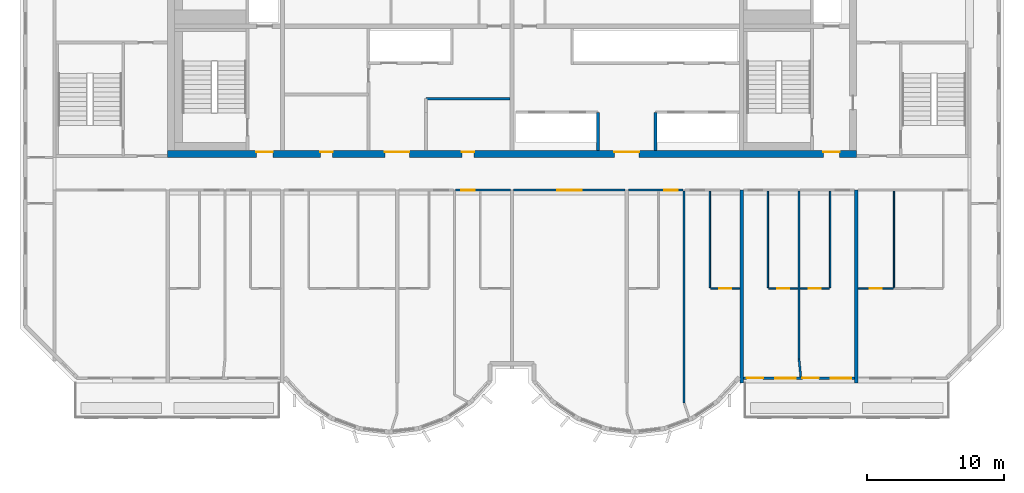
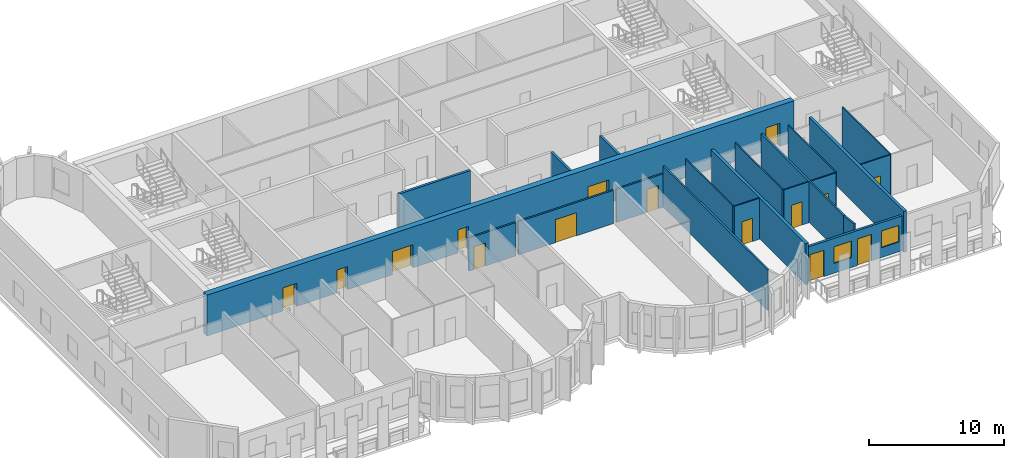
# One storey, part 5 of 11: 21 walls, 15 doors, 2 windows, 17 openings.
"""IFC4 building model written with IfcOpenShell, lengths in metres."""

from ifc_helpers import new_model, si_unit, direction, frame, frame_2d, origin, place, context, subcontext, project, spatial, rectangle, extrude, source, transform, mapped, material, layer, layer_set, type_object, element, fill, save


model = new_model("IFC4")

# Units and contexts
model_context = context("Model", 3, precision=1e-05, world=origin(), true_north=direction((0.0, 1.0)))
body_context = subcontext(model_context, "Body", "Model", "MODEL_VIEW")
ifc_project = project(units=[si_unit("LENGTHUNIT", "METRE"), si_unit("AREAUNIT", "SQUARE_METRE"), si_unit("VOLUMEUNIT", "CUBIC_METRE"), si_unit("PLANEANGLEUNIT", "RADIAN"), si_unit("MASSUNIT", "GRAM", prefix="KILO")], contexts=[model_context])

# Site, building, storey
site_placement = place(None, origin())
site = spatial("IfcSite", under=ifc_project, at=site_placement, CompositionType="ELEMENT")
building_placement = place(site_placement, origin())
building = spatial("IfcBuilding", under=site, at=building_placement, Name="Vanashikhar Sky Hotel", CompositionType="ELEMENT")
storey_placement = place(building_placement, frame((0.0, 0.0, 305.699951171875)))
storey = spatial("IfcBuildingStorey", under=building, at=storey_placement, Name="L73", CompositionType="ELEMENT", Elevation=305.699951171875)

# Wall, openings, doors
ifc_material_1 = material(Name="Concrete M50", Category="concrete")
ifc_layer_1 = layer(ifc_material_1, 0.5)
ifc_layer_set_1 = layer_set([ifc_layer_1], Name="RC core shell wall 500 Concrete M50")
wall_type_1 = type_object("IfcWallType", Name="RC core shell wall 500 Concrete M50", PredefinedType="SHEAR", material=ifc_layer_set_1)
shared_shape_1 = source(origin(), body_context, "Body", "SweptSolid", [
    extrude(rectangle(XDim=50.400146484375, YDim=0.5, at=frame_2d((25.2001953125, 0.0))), origin(), (0.0, 0.0, 1.0), 3.719970703125),
])
wall_1_placement = place(storey_placement, frame((25.199951171875, 22.25, 0.0), z_axis=(0.0, 0.0, 1.0), x_axis=(1.0, 0.0, 0.0)))
wall_1 = element("IfcWall", 1, at=wall_1_placement, inside=storey, type_object=wall_type_1, Name="KW-L73-KS", PredefinedType="SHEAR", context=body_context, shape_type="MappedRepresentation", body=[
    mapped(shared_shape_1, transform((0.0, 0.0, 0.0), scale=1.0)),
])
shared_shape_2 = source(origin(), body_context, "Body", "SweptSolid", [
    extrude(rectangle(XDim=1.800048828125, YDim=2.10009765625, at=frame_2d((0.89990234375, 1.050048828125))), frame((0.0, 0.260009765625, 0.0), z_axis=(0.0, -1.0, 0.0), x_axis=(1.0, 0.0, 0.0)), (0.0, 0.0, 1.0), 0.52001953125),
])
opening_1_placement = place(wall_1_placement, frame((15.89990234375, 0.0, 0.0)))
opening_1 = element("IfcOpeningElement", 2, at=opening_1_placement, cuts=wall_1, Name="Opening DC-3-A", PredefinedType="OPENING", context=body_context, shape_type="MappedRepresentation", body=[
    mapped(shared_shape_2, transform((0.0, 0.0, 0.0), scale=1.0)),
])
shared_shape_3 = source(origin(), body_context, "Body", "SweptSolid", [
    extrude(rectangle(XDim=0.89990234375, YDim=2.10009765625, at=frame_2d((0.449951171875, 1.050048828125))), frame((0.0, 0.260009765625, 0.0), z_axis=(0.0, -1.0, 0.0), x_axis=(1.0, 0.0, 0.0)), (0.0, 0.0, 1.0), 0.52001953125),
])
opening_2_placement = place(wall_1_placement, frame((11.175048828125, 0.0, 0.0)))
opening_2 = element("IfcOpeningElement", 3, at=opening_2_placement, cuts=wall_1, Name="Opening DC-4-A", PredefinedType="OPENING", context=body_context, shape_type="MappedRepresentation", body=[
    mapped(shared_shape_3, transform((0.0, 0.0, 0.0), scale=1.0)),
])
opening_3_placement = place(wall_1_placement, frame((21.52490234375, 0.0, 0.0)))
opening_3 = element("IfcOpeningElement", 4, at=opening_3_placement, cuts=wall_1, Name="Opening DC-4-A", PredefinedType="OPENING", context=body_context, shape_type="MappedRepresentation", body=[
    mapped(shared_shape_3, transform((0.0, 0.0, 0.0), scale=1.0)),
])
opening_4_placement = place(wall_1_placement, frame((32.699951171875, 0.0, 0.0)))
opening_4 = element("IfcOpeningElement", 5, at=opening_4_placement, cuts=wall_1, Name="Opening DC-3-A", PredefinedType="OPENING", context=body_context, shape_type="MappedRepresentation", body=[
    mapped(shared_shape_2, transform((0.0, 0.0, 0.0), scale=1.0)),
])
shared_shape_4 = source(origin(), body_context, "Body", "SweptSolid", [
    extrude(rectangle(XDim=1.199951171875, YDim=2.10009765625, at=frame_2d((0.60009765625, 1.050048828125))), frame((0.0, 0.260009765625, 0.0), z_axis=(0.0, -1.0, 0.0), x_axis=(1.0, 0.0, 0.0)), (0.0, 0.0, 1.0), 0.52001953125),
])
opening_5_placement = place(wall_1_placement, frame((6.5, 0.0, 0.0)))
opening_5 = element("IfcOpeningElement", 6, at=opening_5_placement, cuts=wall_1, Name="Opening DC-2", PredefinedType="OPENING", context=body_context, shape_type="MappedRepresentation", body=[
    mapped(shared_shape_4, transform((0.0, 0.0, 0.0), scale=1.0)),
])
opening_6_placement = place(wall_1_placement, frame((47.97509765625, 0.0, 0.0)))
opening_6 = element("IfcOpeningElement", 7, at=opening_6_placement, cuts=wall_1, Name="Opening DC-2", PredefinedType="OPENING", context=body_context, shape_type="MappedRepresentation", body=[
    mapped(shared_shape_4, transform((0.0, 0.0, 0.0), scale=1.0)),
])
ifc_material_2 = material(Name="Steel", Category="steel")
door_type_1 = type_object("IfcDoorType", Name="Firefighting lobby door 1200 FD120", OperationType="NOTDEFINED", PredefinedType="DOOR", material=ifc_material_2)
shared_shape_5 = source(origin(), body_context, "Body", "SweptSolid", [
    extrude(rectangle(XDim=1.199951171875, YDim=2.10009765625, at=frame_2d((0.60009765625, 1.050048828125))), frame((0.0, 0.1748046875, 0.0), z_axis=(0.0, -1.0, 0.0), x_axis=(1.0, 0.0, 0.0)), (0.0, 0.0, 1.0), 0.050048828125),
])
door_1_placement = place(opening_5_placement, origin())
door_1 = element("IfcDoor", 8, at=door_1_placement, inside=storey, type_object=door_type_1, Name="Firefighting lobby door 1200 FD120", OperationType="SINGLE_SWING_LEFT", OverallHeight=2.10009765625, OverallWidth=1.199951171875, PredefinedType="DOOR", context=body_context, shape_type="MappedRepresentation", body=[
    mapped(shared_shape_5, transform((0.0, 0.0, 0.0), scale=1.0)),
])
fill(opening_5, door_1)
door_2_placement = place(opening_6_placement, origin())
door_2 = element("IfcDoor", 9, at=door_2_placement, inside=storey, type_object=door_type_1, Name="Firefighting lobby door 1200 FD120", OperationType="SINGLE_SWING_RIGHT", OverallHeight=2.10009765625, OverallWidth=1.199951171875, PredefinedType="DOOR", context=body_context, shape_type="MappedRepresentation", body=[
    mapped(shared_shape_5, transform((0.0, 0.0, 0.0), scale=1.0)),
])
fill(opening_6, door_2)
door_type_2 = type_object("IfcDoorType", Name="Service door 900 FD60", OperationType="NOTDEFINED", PredefinedType="DOOR", material=ifc_material_2)
shared_shape_6 = source(origin(), body_context, "Body", "SweptSolid", [
    extrude(rectangle(XDim=0.89990234375, YDim=2.10009765625, at=frame_2d((0.449951171875, 1.050048828125))), frame((0.0, 0.1748046875, 0.0), z_axis=(0.0, -1.0, 0.0), x_axis=(1.0, 0.0, 0.0)), (0.0, 0.0, 1.0), 0.050048828125),
])
door_3_placement = place(opening_2_placement, origin())
door_3 = element("IfcDoor", 10, at=door_3_placement, inside=storey, type_object=door_type_2, Name="Service door 900 FD60", OperationType="SINGLE_SWING_LEFT", OverallHeight=2.10009765625, OverallWidth=0.89990234375, PredefinedType="DOOR", context=body_context, shape_type="MappedRepresentation", body=[
    mapped(shared_shape_6, transform((0.0, 0.0, 0.0), scale=1.0)),
])
fill(opening_2, door_3)
door_4_placement = place(opening_3_placement, origin())
door_4 = element("IfcDoor", 11, at=door_4_placement, inside=storey, type_object=door_type_2, Name="Service door 900 FD60", OperationType="SINGLE_SWING_LEFT", OverallHeight=2.10009765625, OverallWidth=0.89990234375, PredefinedType="DOOR", context=body_context, shape_type="MappedRepresentation", body=[
    mapped(shared_shape_6, transform((0.0, 0.0, 0.0), scale=1.0)),
])
fill(opening_3, door_4)
ifc_material_3 = material(Name="Glass", Category="glass")
door_type_3 = type_object("IfcDoorType", Name="Lift lobby entrance door 1800 FD30S", OperationType="NOTDEFINED", PredefinedType="DOOR", material=ifc_material_3)
shared_shape_7 = source(origin(), body_context, "Body", "SweptSolid", [
    extrude(rectangle(XDim=1.800048828125, YDim=2.10009765625, at=frame_2d((0.89990234375, 1.050048828125))), frame((0.0, 0.1748046875, 0.0), z_axis=(0.0, -1.0, 0.0), x_axis=(1.0, 0.0, 0.0)), (0.0, 0.0, 1.0), 0.050048828125),
])
door_5_placement = place(opening_1_placement, origin())
door_5 = element("IfcDoor", 12, at=door_5_placement, inside=storey, type_object=door_type_3, Name="Lift lobby entrance door 1800 FD30S", OperationType="DOUBLE_DOOR_SINGLE_SWING", OverallHeight=2.10009765625, OverallWidth=1.800048828125, PredefinedType="DOOR", context=body_context, shape_type="MappedRepresentation", body=[
    mapped(shared_shape_7, transform((0.0, 0.0, 0.0), scale=1.0)),
])
fill(opening_1, door_5)
door_6_placement = place(opening_4_placement, origin())
door_6 = element("IfcDoor", 13, at=door_6_placement, inside=storey, type_object=door_type_3, Name="Lift lobby entrance door 1800 FD30S", OperationType="DOUBLE_DOOR_SINGLE_SWING", OverallHeight=2.10009765625, OverallWidth=1.800048828125, PredefinedType="DOOR", context=body_context, shape_type="MappedRepresentation", body=[
    mapped(shared_shape_7, transform((0.0, 0.0, 0.0), scale=1.0)),
])
fill(opening_4, door_6)

# Walls
ifc_layer_2 = layer(ifc_material_1, 0.25)
ifc_layer_set_2 = layer_set([ifc_layer_2], Name="RC shear wall 250 Concrete M50")
wall_type_2 = type_object("IfcWallType", Name="RC shear wall 250 Concrete M50", PredefinedType="SHEAR", material=ifc_layer_set_2)
shared_shape_8 = source(origin(), body_context, "Body", "SweptSolid", [
    extrude(rectangle(XDim=14.10009765625, YDim=0.25, at=frame_2d((7.050048828125, 0.0))), origin(), (0.0, 0.0, 1.0), 3.719970703125),
])
for number, where, z_axis, x_axis, name in (
    (14, (67.199951171875, 5.5, 0.0), (0.0, 0.0, 1.0), (0.0, 1.0, 0.0), "CW-L73-XW09-1"),
    (15, (75.60009765625, 5.5, 0.0), (0.0, 0.0, 1.0), (0.0, 1.0, 0.0), "CW-L73-XW10-1"),
):
    element("IfcWall", number, at=place(storey_placement, frame(where, z_axis=z_axis, x_axis=x_axis)), inside=storey, type_object=wall_type_2, Name=name, PredefinedType="SHEAR", context=body_context, shape_type="MappedRepresentation", body=[
        mapped(shared_shape_8, transform((0.0, 0.0, 0.0), scale=1.0)),
    ])

# Wall, openings, windows, doors
ifc_layer_3 = layer(ifc_material_1, 0.199951171875)
ifc_layer_set_3 = layer_set([ifc_layer_3], Name="Front window wall 200")
wall_type_3 = type_object("IfcWallType", Name="Front window wall 200", PredefinedType="SOLIDWALL", material=ifc_layer_set_3)
shared_shape_9 = source(origin(), body_context, "Body", "SweptSolid", [
    extrude(rectangle(XDim=8.150146484375, YDim=0.199951171875, at=frame_2d((4.0751953125, 0.0))), origin(), (0.0, 0.0, 1.0), 3.170166015625),
])
wall_2_placement = place(storey_placement, frame((67.324951171875, 5.85009765625, 0.0), z_axis=(0.0, 0.0, 1.0), x_axis=(1.0, 0.0, 0.0)))
wall_2 = element("IfcWall", 16, at=wall_2_placement, inside=storey, type_object=wall_type_3, Name="Front window wall", PredefinedType="SOLIDWALL", context=body_context, shape_type="MappedRepresentation", body=[
    mapped(shared_shape_9, transform((0.0, 0.0, 0.0), scale=1.0)),
])
shared_shape_10 = source(origin(), body_context, "Body", "SweptSolid", [
    extrude(rectangle(XDim=1.199951171875, YDim=2.39990234375, at=frame_2d((0.60009765625, 1.199951171875))), frame((0.0, 0.10986328125, 0.0), z_axis=(0.0, -1.0, 0.0), x_axis=(1.0, 0.0, 0.0)), (0.0, 0.0, 1.0), 0.219970703125),
])
opening_7_placement = place(wall_2_placement, frame((0.25, 0.0, 0.0)))
opening_7 = element("IfcOpeningElement", 17, at=opening_7_placement, cuts=wall_2, Name="Opening BD-03", PredefinedType="OPENING", context=body_context, shape_type="MappedRepresentation", body=[
    mapped(shared_shape_10, transform((0.0, 0.0, 0.0), scale=1.0)),
])
shared_shape_11 = source(origin(), body_context, "Body", "SweptSolid", [
    extrude(rectangle(XDim=1.5, YDim=1.5, at=frame_2d((0.75, 0.75))), frame((0.0, 0.10986328125, 0.0), z_axis=(0.0, -1.0, 0.0), x_axis=(1.0, 0.0, 0.0)), (0.0, 0.0, 1.0), 0.219970703125),
])
opening_8_placement = place(wall_2_placement, frame((2.324951171875, 0.0, 0.89990234375)))
opening_8 = element("IfcOpeningElement", 18, at=opening_8_placement, cuts=wall_2, Name="Opening WN-1", PredefinedType="OPENING", context=body_context, shape_type="MappedRepresentation", body=[
    mapped(shared_shape_11, transform((0.0, 0.0, 0.0), scale=1.0)),
])
opening_9_placement = place(wall_2_placement, frame((4.324951171875, 0.0, 0.0)))
opening_9 = element("IfcOpeningElement", 19, at=opening_9_placement, cuts=wall_2, Name="Opening BD-04", PredefinedType="OPENING", context=body_context, shape_type="MappedRepresentation", body=[
    mapped(shared_shape_10, transform((0.0, 0.0, 0.0), scale=1.0)),
])
opening_10_placement = place(wall_2_placement, frame((6.39990234375, 0.0, 0.89990234375)))
opening_10 = element("IfcOpeningElement", 20, at=opening_10_placement, cuts=wall_2, Name="Opening WN-1", PredefinedType="OPENING", context=body_context, shape_type="MappedRepresentation", body=[
    mapped(shared_shape_11, transform((0.0, 0.0, 0.0), scale=1.0)),
])
window_type = type_object("IfcWindowType", Name="Window 1500 x 1500", PartitioningType="SINGLE_PANEL", PredefinedType="WINDOW", material=ifc_material_3)
shared_shape_12 = source(origin(), body_context, "Body", "SweptSolid", [
    extrude(rectangle(XDim=1.5, YDim=1.5, at=frame_2d((0.75, 0.75))), frame((0.0, 0.030029296875, 0.0), z_axis=(0.0, -1.0, 0.0), x_axis=(1.0, 0.0, 0.0)), (0.0, 0.0, 1.0), 0.06005859375),
])
window_1_placement = place(opening_8_placement, origin())
window_1 = element("IfcWindow", 21, at=window_1_placement, inside=storey, type_object=window_type, Name="Window WN-1", OverallHeight=1.5, OverallWidth=1.5, PartitioningType="SINGLE_PANEL", PredefinedType="WINDOW", context=body_context, shape_type="MappedRepresentation", body=[
    mapped(shared_shape_12, transform((0.0, 0.0, 0.0), scale=1.0)),
])
fill(opening_8, window_1)
window_2_placement = place(opening_10_placement, origin())
window_2 = element("IfcWindow", 22, at=window_2_placement, inside=storey, type_object=window_type, Name="Window WN-1", OverallHeight=1.5, OverallWidth=1.5, PartitioningType="SINGLE_PANEL", PredefinedType="WINDOW", context=body_context, shape_type="MappedRepresentation", body=[
    mapped(shared_shape_12, transform((0.0, 0.0, 0.0), scale=1.0)),
])
fill(opening_10, window_2)
ifc_material_4 = material(Name="Aluminium", Category="aluminium")
door_type_4 = type_object("IfcDoorType", Name="Balcony sliding door 1200 x 2400", OperationType="NOTDEFINED", PredefinedType="DOOR", material=ifc_material_4)
shared_shape_13 = source(origin(), body_context, "Body", "SweptSolid", [
    extrude(rectangle(XDim=1.199951171875, YDim=2.39990234375, at=frame_2d((0.60009765625, 1.199951171875))), frame((0.0, 0.02490234375, 0.0), z_axis=(0.0, -1.0, 0.0), x_axis=(1.0, 0.0, 0.0)), (0.0, 0.0, 1.0), 0.050048828125),
])
door_7_placement = place(opening_7_placement, origin())
door_7 = element("IfcDoor", 23, at=door_7_placement, inside=storey, type_object=door_type_4, Name="Balcony sliding door", OperationType="SLIDING_TO_LEFT", OverallHeight=2.39990234375, OverallWidth=1.199951171875, PredefinedType="DOOR", context=body_context, shape_type="MappedRepresentation", body=[
    mapped(shared_shape_13, transform((0.0, 0.0, 0.0), scale=1.0)),
])
fill(opening_7, door_7)
door_8_placement = place(opening_9_placement, origin())
door_8 = element("IfcDoor", 24, at=door_8_placement, inside=storey, type_object=door_type_4, Name="Balcony sliding door", OperationType="SLIDING_TO_RIGHT", OverallHeight=2.39990234375, OverallWidth=1.199951171875, PredefinedType="DOOR", context=body_context, shape_type="MappedRepresentation", body=[
    mapped(shared_shape_13, transform((0.0, 0.0, 0.0), scale=1.0)),
])
fill(opening_9, door_8)

# Walls
ifc_material_5 = material(Name="Concrete M40", Category="concrete")
ifc_layer_4 = layer(ifc_material_5, 0.199951171875)
ifc_layer_set_4 = layer_set([ifc_layer_4], Name="Shaft wall 200")
wall_type_4 = type_object("IfcWallType", Name="Shaft wall 200", PredefinedType="SOLIDWALL", material=ifc_layer_set_4)
shared_shape_14 = source(origin(), body_context, "Body", "SweptSolid", [
    extrude(rectangle(XDim=2.800048828125, YDim=0.199951171875, at=frame_2d((1.39990234375, 0.0))), origin(), (0.0, 0.0, 1.0), 3.719970703125),
])
for number, where, z_axis, x_axis, name in (
    (25, (60.89990234375, 22.5, 0.0), (0.0, 0.0, 1.0), (0.0, 1.0, 0.0), "Shaft wall 200"),
    (26, (56.699951171875, 22.5, 0.0), (0.0, 0.0, 1.0), (0.0, 1.0, 0.0), "Shaft wall 200"),
):
    element("IfcWall", number, at=place(storey_placement, frame(where, z_axis=z_axis, x_axis=x_axis)), inside=storey, type_object=wall_type_4, Name=name, PredefinedType="SOLIDWALL", context=body_context, shape_type="MappedRepresentation", body=[
        mapped(shared_shape_14, transform((0.0, 0.0, 0.0), scale=1.0)),
    ])
ifc_material_6 = material(Name="Gypsum board partition")
ifc_layer_5 = layer(ifc_material_6, 0.14990234375)
ifc_layer_set_5 = layer_set([ifc_layer_5], Name="Service partition 150")
wall_type_5 = type_object("IfcWallType", Name="Service partition 150", PredefinedType="PARTITIONING", material=ifc_layer_set_5)
shared_shape_15 = source(origin(), body_context, "Body", "SweptSolid", [
    extrude(rectangle(XDim=6.14990234375, YDim=0.199951171875, at=frame_2d((3.074951171875, 0.0))), origin(), (0.0, 0.0, 1.0), 3.719970703125),
])
wall_3_placement = place(storey_placement, frame((44.10009765625, 26.300048828125, 0.0), z_axis=(0.0, 0.0, 1.0), x_axis=(1.0, 0.0, 0.0)))
element("IfcWall", 27, at=wall_3_placement, inside=storey, type_object=wall_type_5, Name="Service partition 150", PredefinedType="PARTITIONING", context=body_context, shape_type="MappedRepresentation", body=[
    mapped(shared_shape_15, transform((0.0, 0.0, 0.0), scale=1.0)),
])

# Wall, opening, door
ifc_material_7 = material(Name="Gypsum plasterboard partition")
ifc_layer_6 = layer(ifc_material_7, 0.10009765625)
ifc_layer_set_6 = layer_set([ifc_layer_6], Name="Wet room partition 100")
wall_type_6 = type_object("IfcWallType", Name="Wet room partition 100", PredefinedType="PARTITIONING", material=ifc_layer_set_6)
shared_shape_16 = source(origin(), body_context, "Body", "SweptSolid", [
    extrude(rectangle(XDim=2.574951171875, YDim=0.10009765625, at=frame_2d((1.28759765625, 0.0))), origin(), (0.0, 0.0, 1.0), 3.719970703125),
])
wall_4_placement = place(storey_placement, frame((75.72509765625, 12.39990234375, 0.0), z_axis=(0.0, 0.0, 1.0), x_axis=(1.0, 0.0, 0.0)))
wall_4 = element("IfcWall", 28, at=wall_4_placement, inside=storey, type_object=wall_type_6, Name="W-L73-PW039", PredefinedType="PARTITIONING", context=body_context, shape_type="MappedRepresentation", body=[
    mapped(shared_shape_16, transform((0.0, 0.0, 0.0), scale=1.0)),
])
shared_shape_17 = source(origin(), body_context, "Body", "SweptSolid", [
    extrude(rectangle(XDim=0.89990234375, YDim=2.10009765625, at=frame_2d((0.449951171875, 1.050048828125))), frame((0.0, 0.06005859375, 0.0), z_axis=(0.0, -1.0, 0.0), x_axis=(1.0, 0.0, 0.0)), (0.0, 0.0, 1.0), 0.1201171875),
])
opening_11_placement = place(wall_4_placement, frame((0.837890625, 0.0, 0.0)))
opening_11 = element("IfcOpeningElement", 29, at=opening_11_placement, cuts=wall_4, Name="Opening D-02", PredefinedType="OPENING", context=body_context, shape_type="MappedRepresentation", body=[
    mapped(shared_shape_17, transform((0.0, 0.0, 0.0), scale=1.0)),
])
ifc_material_8 = material(Name="Timber door", Category="wood")
door_type_5 = type_object("IfcDoorType", Name="Internal door 900", OperationType="NOTDEFINED", PredefinedType="DOOR", material=ifc_material_8)
shared_shape_18 = source(origin(), body_context, "Body", "SweptSolid", [
    extrude(rectangle(XDim=0.89990234375, YDim=2.10009765625, at=frame_2d((0.449951171875, 1.050048828125))), frame((0.0, 0.02490234375, 0.0), z_axis=(0.0, -1.0, 0.0), x_axis=(1.0, 0.0, 0.0)), (0.0, 0.0, 1.0), 0.050048828125),
])
door_9_placement = place(opening_11_placement, origin())
door_9 = element("IfcDoor", 30, at=door_9_placement, inside=storey, type_object=door_type_5, Name="D-L73-023", OperationType="SINGLE_SWING_RIGHT", OverallHeight=2.10009765625, OverallWidth=0.89990234375, PredefinedType="DOOR", context=body_context, shape_type="MappedRepresentation", body=[
    mapped(shared_shape_18, transform((0.0, 0.0, 0.0), scale=1.0)),
])
fill(opening_11, door_9)

ifc_layer_7 = layer(ifc_material_7, 0.14990234375)
ifc_layer_set_7 = layer_set([ifc_layer_7], Name="Corridor and demising partition 150")
wall_type_7 = type_object("IfcWallType", Name="Corridor and demising partition 150", PredefinedType="PARTITIONING", material=ifc_layer_set_7)
shared_shape_19 = source(origin(), body_context, "Body", "SweptSolid", [
    extrude(rectangle(XDim=8.150146484375, YDim=0.14990234375, at=frame_2d((4.0751953125, 0.0))), origin(), (0.0, 0.0, 1.0), 3.02001953125),
])
wall_5_placement = place(storey_placement, frame((50.52490234375, 19.60009765625, 0.0), z_axis=(0.0, 0.0, 1.0), x_axis=(1.0, 0.0, 0.0)))
wall_5 = element("IfcWall", 31, at=wall_5_placement, inside=storey, type_object=wall_type_7, Name="W-L73-PW021", PredefinedType="PARTITIONING", context=body_context, shape_type="MappedRepresentation", body=[
    mapped(shared_shape_19, transform((0.0, 0.0, 0.0), scale=1.0)),
])
shared_shape_20 = source(origin(), body_context, "Body", "SweptSolid", [
    extrude(rectangle(XDim=1.800048828125, YDim=2.10009765625, at=frame_2d((0.89990234375, 1.050048828125))), frame((0.0, 0.0849609375, 0.0), z_axis=(0.0, -1.0, 0.0), x_axis=(1.0, 0.0, 0.0)), (0.0, 0.0, 1.0), 0.169921875),
])
opening_12_placement = place(wall_5_placement, frame((3.175048828125, 0.0, 0.0)))
opening_12 = element("IfcOpeningElement", 32, at=opening_12_placement, cuts=wall_5, Name="Opening D-03", PredefinedType="OPENING", context=body_context, shape_type="MappedRepresentation", body=[
    mapped(shared_shape_20, transform((0.0, 0.0, 0.0), scale=1.0)),
])
ifc_material_9 = material(Name="Timber fire door", Category="wood")
door_type_6 = type_object("IfcDoorType", Name="Double leaf door 1800 FD30S", OperationType="NOTDEFINED", PredefinedType="DOOR", material=ifc_material_9)
shared_shape_21 = source(origin(), body_context, "Body", "SweptSolid", [
    extrude(rectangle(XDim=1.800048828125, YDim=2.10009765625, at=frame_2d((0.89990234375, 1.050048828125))), frame((0.0, 0.02490234375, 0.0), z_axis=(0.0, -1.0, 0.0), x_axis=(1.0, 0.0, 0.0)), (0.0, 0.0, 1.0), 0.050048828125),
])
door_10_placement = place(opening_12_placement, origin())
door_10 = element("IfcDoor", 33, at=door_10_placement, inside=storey, type_object=door_type_6, Name="D-L73-013", OperationType="DOUBLE_DOOR_SINGLE_SWING", OverallHeight=2.10009765625, OverallWidth=1.800048828125, PredefinedType="DOOR", context=body_context, shape_type="MappedRepresentation", body=[
    mapped(shared_shape_21, transform((0.0, 0.0, 0.0), scale=1.0)),
])
fill(opening_12, door_10)

shared_shape_22 = source(origin(), body_context, "Body", "SweptSolid", [
    extrude(rectangle(XDim=4.0, YDim=0.14990234375, at=frame_2d((2.0, 0.0))), origin(), (0.0, 0.0, 1.0), 3.02001953125),
])
wall_6_placement = place(storey_placement, frame((46.27490234375, 19.60009765625, 0.0), z_axis=(0.0, 0.0, 1.0), x_axis=(1.0, 0.0, 0.0)))
wall_6 = element("IfcWall", 34, at=wall_6_placement, inside=storey, type_object=wall_type_7, Name="W-L73-PW019", PredefinedType="PARTITIONING", context=body_context, shape_type="MappedRepresentation", body=[
    mapped(shared_shape_22, transform((0.0, 0.0, 0.0), scale=1.0)),
])
shared_shape_23 = source(origin(), body_context, "Body", "SweptSolid", [
    extrude(rectangle(XDim=1.0, YDim=2.10009765625, at=frame_2d((0.5, 1.050048828125))), frame((0.0, 0.0849609375, 0.0), z_axis=(0.0, -1.0, 0.0), x_axis=(1.0, 0.0, 0.0)), (0.0, 0.0, 1.0), 0.169921875),
])
opening_13_placement = place(wall_6_placement, frame((0.39990234375, 0.0, 0.0)))
opening_13 = element("IfcOpeningElement", 35, at=opening_13_placement, cuts=wall_6, Name="Opening D-01", PredefinedType="OPENING", context=body_context, shape_type="MappedRepresentation", body=[
    mapped(shared_shape_23, transform((0.0, 0.0, 0.0), scale=1.0)),
])
door_type_7 = type_object("IfcDoorType", Name="Guest entry door 1000 FD30S", OperationType="NOTDEFINED", PredefinedType="DOOR", material=ifc_material_9)
shared_shape_24 = source(origin(), body_context, "Body", "SweptSolid", [
    extrude(rectangle(XDim=1.0, YDim=2.10009765625, at=frame_2d((0.5, 1.050048828125))), frame((0.0, 0.02490234375, 0.0), z_axis=(0.0, -1.0, 0.0), x_axis=(1.0, 0.0, 0.0)), (0.0, 0.0, 1.0), 0.050048828125),
])
door_11_placement = place(opening_13_placement, origin())
door_11 = element("IfcDoor", 36, at=door_11_placement, inside=storey, type_object=door_type_7, Name="D-L73-012", OperationType="SINGLE_SWING_LEFT", OverallHeight=2.10009765625, OverallWidth=1.0, PredefinedType="DOOR", context=body_context, shape_type="MappedRepresentation", body=[
    mapped(shared_shape_24, transform((0.0, 0.0, 0.0), scale=1.0)),
])
fill(opening_13, door_11)

wall_7_placement = place(storey_placement, frame((58.925048828125, 19.60009765625, 0.0), z_axis=(0.0, 0.0, 1.0), x_axis=(1.0, 0.0, 0.0)))
wall_7 = element("IfcWall", 37, at=wall_7_placement, inside=storey, type_object=wall_type_7, Name="W-L73-PW024", PredefinedType="PARTITIONING", context=body_context, shape_type="MappedRepresentation", body=[
    mapped(shared_shape_22, transform((0.0, 0.0, 0.0), scale=1.0)),
])
opening_14_placement = place(wall_7_placement, frame((2.60009765625, 0.0, 0.0)))
opening_14 = element("IfcOpeningElement", 38, at=opening_14_placement, cuts=wall_7, Name="Opening D-01", PredefinedType="OPENING", context=body_context, shape_type="MappedRepresentation", body=[
    mapped(shared_shape_23, transform((0.0, 0.0, 0.0), scale=1.0)),
])
door_12_placement = place(opening_14_placement, origin())
door_12 = element("IfcDoor", 39, at=door_12_placement, inside=storey, type_object=door_type_7, Name="D-L73-015", OperationType="SINGLE_SWING_RIGHT", OverallHeight=2.10009765625, OverallWidth=1.0, PredefinedType="DOOR", context=body_context, shape_type="MappedRepresentation", body=[
    mapped(shared_shape_24, transform((0.0, 0.0, 0.0), scale=1.0)),
])
fill(opening_14, door_12)

# Walls
shared_shape_25 = source(origin(), body_context, "Body", "SweptSolid", [
    extrude(rectangle(XDim=12.27490234375, YDim=0.14990234375, at=frame_2d((6.137451171875, 0.0))), origin(), (0.0, 0.0, 1.0), 3.719970703125),
])
wall_8_placement = place(storey_placement, frame((71.39990234375, 7.25, 0.0), z_axis=(0.0, 0.0, 1.0), x_axis=(0.0, 1.0, 0.0)))
element("IfcWall", 40, at=wall_8_placement, inside=storey, type_object=wall_type_7, Name="W-L73-PW035", PredefinedType="PARTITIONING", context=body_context, shape_type="MappedRepresentation", body=[
    mapped(shared_shape_25, transform((0.0, 0.0, 0.0), scale=1.0)),
])
shared_shape_26 = source(origin(), body_context, "Body", "SweptSolid", [
    extrude(rectangle(XDim=15.497802734375, YDim=0.14990234375, at=frame_2d((7.7490234375, 0.0))), origin(), (0.0, 0.0, 1.0), 3.719970703125),
])
wall_9_placement = place(storey_placement, frame((63.0, 4.027099609375, 0.0), z_axis=(0.0, 0.0, 1.0), x_axis=(0.0, 1.0, 0.0)))
element("IfcWall", 41, at=wall_9_placement, inside=storey, type_object=wall_type_7, Name="W-L73-PW028", PredefinedType="PARTITIONING", context=body_context, shape_type="MappedRepresentation", body=[
    mapped(shared_shape_26, transform((0.0, 0.0, 0.0), scale=1.0)),
])
shared_shape_27 = source(origin(), body_context, "Body", "SweptSolid", [
    extrude(rectangle(XDim=1.306640625, YDim=0.14990234375, at=frame_2d((0.6533203125, 0.0))), origin(), (0.0, 0.0, 1.0), 3.719970703125),
])
wall_10_placement = place(storey_placement, frame((71.530029296875, 5.949951171875, 0.0), z_axis=(0.0, 0.0, 1.0), x_axis=(-0.099596223396, 0.99502793543, 0.0)))
element("IfcWall", 42, at=wall_10_placement, inside=storey, type_object=wall_type_7, Name="W-L73-PW035B0", PredefinedType="PARTITIONING", context=body_context, shape_type="MappedRepresentation", body=[
    mapped(shared_shape_27, transform((0.0, 0.0, 0.0), scale=1.0)),
])
shared_shape_28 = source(origin(), body_context, "Body", "SweptSolid", [
    extrude(rectangle(XDim=7.0498046875, YDim=0.10009765625, at=frame_2d((3.52490234375, 0.0))), origin(), (0.0, 0.0, 1.0), 3.719970703125),
])
for number, where, z_axis, x_axis, name in (
    (43, (64.875, 12.47509765625, 0.0), (0.0, 0.0, 1.0), (0.0, 1.0, 0.0), "W-L73-PW025"),
    (44, (69.125, 12.47509765625, 0.0), (0.0, 0.0, 1.0), (0.0, 1.0, 0.0), "W-L73-PW029"),
    (45, (73.675048828125, 12.47509765625, 0.0), (0.0, 0.0, 1.0), (0.0, 1.0, 0.0), "W-L73-PW032"),
    (46, (78.35009765625, 12.47509765625, 0.0), (0.0, 0.0, 1.0), (0.0, 1.0, 0.0), "W-L73-PW037"),
):
    element("IfcWall", number, at=place(storey_placement, frame(where, z_axis=z_axis, x_axis=x_axis)), inside=storey, type_object=wall_type_6, Name=name, PredefinedType="PARTITIONING", context=body_context, shape_type="MappedRepresentation", body=[
        mapped(shared_shape_28, transform((0.0, 0.0, 0.0), scale=1.0)),
    ])

# Wall, opening, door
shared_shape_29 = source(origin(), body_context, "Body", "SweptSolid", [
    extrude(rectangle(XDim=2.14990234375, YDim=0.10009765625, at=frame_2d((1.074951171875, 0.0))), origin(), (0.0, 0.0, 1.0), 3.719970703125),
])
wall_11_placement = place(storey_placement, frame((64.925048828125, 12.39990234375, 0.0), z_axis=(0.0, 0.0, 1.0), x_axis=(1.0, 0.0, 0.0)))
wall_11 = element("IfcWall", 47, at=wall_11_placement, inside=storey, type_object=wall_type_6, Name="W-L73-PW026", PredefinedType="PARTITIONING", context=body_context, shape_type="MappedRepresentation", body=[
    mapped(shared_shape_29, transform((0.0, 0.0, 0.0), scale=1.0)),
])
opening_15_placement = place(wall_11_placement, frame((0.625, 0.0, 0.0)))
opening_15 = element("IfcOpeningElement", 48, at=opening_15_placement, cuts=wall_11, Name="Opening D-02", PredefinedType="OPENING", context=body_context, shape_type="MappedRepresentation", body=[
    mapped(shared_shape_17, transform((0.0, 0.0, 0.0), scale=1.0)),
])
door_13_placement = place(opening_15_placement, origin())
door_13 = element("IfcDoor", 49, at=door_13_placement, inside=storey, type_object=door_type_5, Name="D-L73-016", OperationType="SINGLE_SWING_LEFT", OverallHeight=2.10009765625, OverallWidth=0.89990234375, PredefinedType="DOOR", context=body_context, shape_type="MappedRepresentation", body=[
    mapped(shared_shape_18, transform((0.0, 0.0, 0.0), scale=1.0)),
])
fill(opening_15, door_13)

wall_12_placement = place(storey_placement, frame((69.175048828125, 12.39990234375, 0.0), z_axis=(0.0, 0.0, 1.0), x_axis=(1.0, 0.0, 0.0)))
wall_12 = element("IfcWall", 50, at=wall_12_placement, inside=storey, type_object=wall_type_6, Name="W-L73-PW030", PredefinedType="PARTITIONING", context=body_context, shape_type="MappedRepresentation", body=[
    mapped(shared_shape_29, transform((0.0, 0.0, 0.0), scale=1.0)),
])
opening_16_placement = place(wall_12_placement, frame((0.625, 0.0, 0.0)))
opening_16 = element("IfcOpeningElement", 51, at=opening_16_placement, cuts=wall_12, Name="Opening D-02", PredefinedType="OPENING", context=body_context, shape_type="MappedRepresentation", body=[
    mapped(shared_shape_17, transform((0.0, 0.0, 0.0), scale=1.0)),
])
door_14_placement = place(opening_16_placement, origin())
door_14 = element("IfcDoor", 52, at=door_14_placement, inside=storey, type_object=door_type_5, Name="D-L73-018", OperationType="SINGLE_SWING_LEFT", OverallHeight=2.10009765625, OverallWidth=0.89990234375, PredefinedType="DOOR", context=body_context, shape_type="MappedRepresentation", body=[
    mapped(shared_shape_18, transform((0.0, 0.0, 0.0), scale=1.0)),
])
fill(opening_16, door_14)

wall_13_placement = place(storey_placement, frame((71.47509765625, 12.39990234375, 0.0), z_axis=(0.0, 0.0, 1.0), x_axis=(1.0, 0.0, 0.0)))
wall_13 = element("IfcWall", 53, at=wall_13_placement, inside=storey, type_object=wall_type_6, Name="W-L73-PW033", PredefinedType="PARTITIONING", context=body_context, shape_type="MappedRepresentation", body=[
    mapped(shared_shape_29, transform((0.0, 0.0, 0.0), scale=1.0)),
])
opening_17_placement = place(wall_13_placement, frame((0.625, 0.0, 0.0)))
opening_17 = element("IfcOpeningElement", 54, at=opening_17_placement, cuts=wall_13, Name="Opening D-02", PredefinedType="OPENING", context=body_context, shape_type="MappedRepresentation", body=[
    mapped(shared_shape_17, transform((0.0, 0.0, 0.0), scale=1.0)),
])
door_15_placement = place(opening_17_placement, origin())
door_15 = element("IfcDoor", 55, at=door_15_placement, inside=storey, type_object=door_type_5, Name="D-L73-020", OperationType="SINGLE_SWING_RIGHT", OverallHeight=2.10009765625, OverallWidth=0.89990234375, PredefinedType="DOOR", context=body_context, shape_type="MappedRepresentation", body=[
    mapped(shared_shape_18, transform((0.0, 0.0, 0.0), scale=1.0)),
])
fill(opening_17, door_15)

save(model, "model.ifc")
